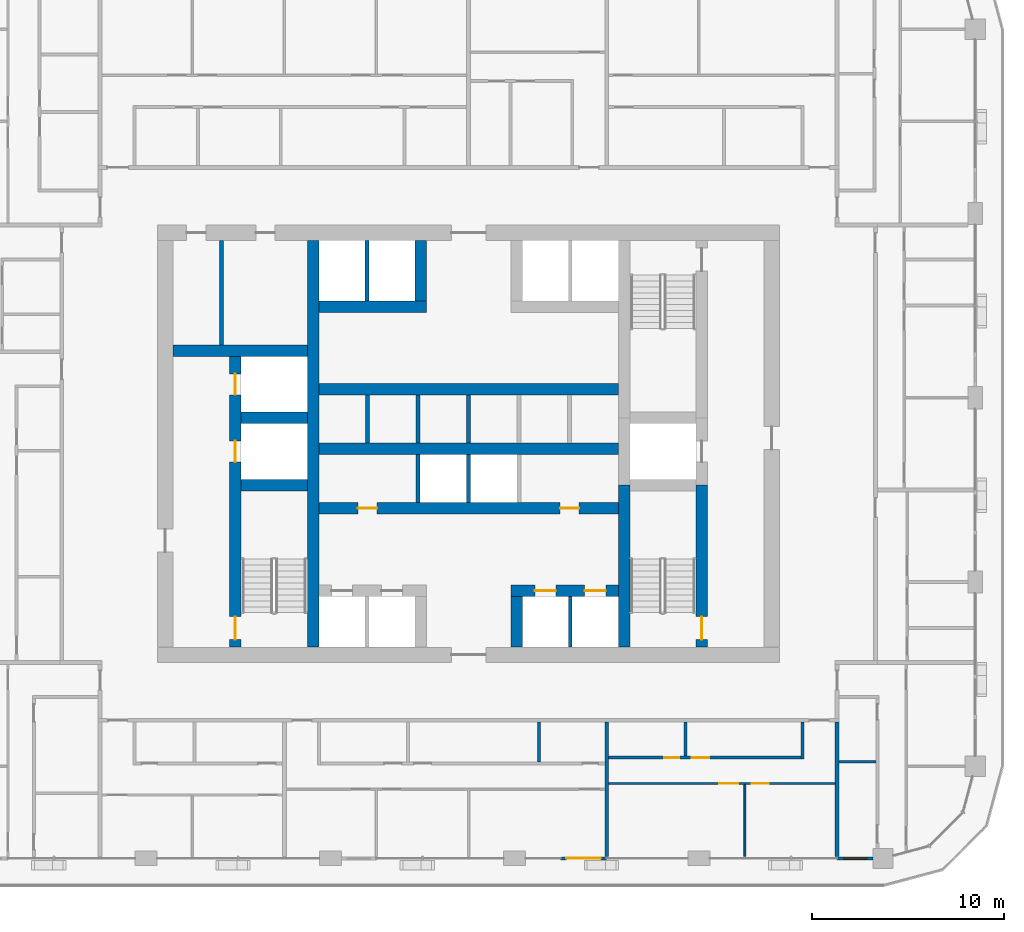
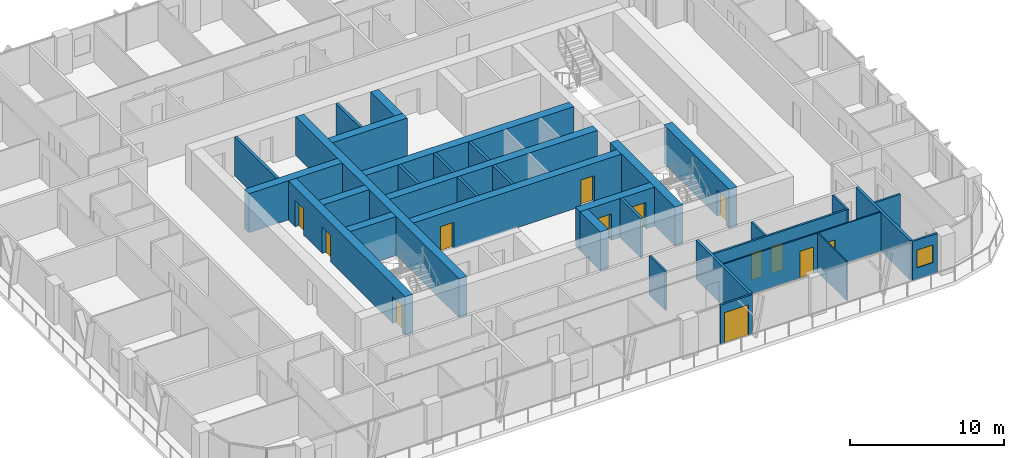
# One storey, part 11 of 22: 33 walls, 13 doors, 1 window, 14 openings.
"""IFC4 building model written with IfcOpenShell, lengths in metres."""

from ifc_helpers import new_model, si_unit, direction, frame, frame_2d, origin, place, context, subcontext, project, spatial, rectangle, extrude, material, layer, layer_set, type_object, element, fill, save


model = new_model("IFC4")

# Units and contexts
model_context = context("Model", 3, precision=1e-05, world=origin(), true_north=direction((0.0, 1.0)))
body_context = subcontext(model_context, "Body", "Model", "MODEL_VIEW")
ifc_project = project(units=[si_unit("LENGTHUNIT", "METRE"), si_unit("AREAUNIT", "SQUARE_METRE"), si_unit("VOLUMEUNIT", "CUBIC_METRE"), si_unit("PLANEANGLEUNIT", "RADIAN"), si_unit("MASSUNIT", "GRAM", prefix="KILO")], contexts=[model_context])

# Site, building, storey
site_placement = place(None, origin())
site = spatial("IfcSite", under=ifc_project, at=site_placement, CompositionType="ELEMENT")
building_placement = place(site_placement, origin())
building = spatial("IfcBuilding", under=site, at=building_placement, Name="Madar Terraces", CompositionType="ELEMENT")
storey_placement = place(building_placement, frame((0.0, 0.0, 140.10009765625)))
storey = spatial("IfcBuildingStorey", under=building, at=storey_placement, Name="L36", CompositionType="ELEMENT", Elevation=140.10009765625)

# Wall, openings, doors
ifc_material_1 = material(Name="Concrete C70/85", Category="concrete")
ifc_layer_1 = layer(ifc_material_1, 0.60009765625)
ifc_layer_set_1 = layer_set([ifc_layer_1], Name="Concrete C70/85 (CIW3 RC wall 600)")
wall_type_1 = type_object("IfcWallType", Name="CIW3 RC wall 600", PredefinedType="SHEAR", material=ifc_layer_set_1)
wall_1_placement = place(storey_placement, frame((19.050048828125, 15.800048828125, 0.0), z_axis=(0.0, 0.0, 1.0), x_axis=(0.0, 1.0, 0.0)))
wall_1 = element("IfcWall", 1, at=wall_1_placement, inside=storey, type_object=wall_type_1, Name="CORE SHAFT WALL", PredefinedType="SHEAR", context=body_context, shape_type="SweptSolid", body=[
    extrude(rectangle(XDim=15.14990234375, YDim=0.60009765625, at=frame_2d((7.574951171875, 0.0))), origin(), (0.0, 0.0, 1.0), 3.099853515625),
])
opening_1_placement = place(wall_1_placement, frame((9.64990234375, 0.0, 0.0)))
opening_1 = element("IfcOpeningElement", 2, at=opening_1_placement, cuts=wall_1, Name="Opening LD", PredefinedType="OPENING", context=body_context, shape_type="SweptSolid", body=[
    extrude(rectangle(XDim=1.10009765625, YDim=2.10009765625, at=frame_2d((0.550048828125, 1.050048828125))), frame((0.0, 0.31005859375, 0.0), z_axis=(0.0, -1.0, 0.0), x_axis=(1.0, 0.0, 0.0)), (0.0, 0.0, 1.0), 0.6201171875),
])
opening_2_placement = place(wall_1_placement, frame((13.14990234375, 0.0, 0.0)))
opening_2 = element("IfcOpeningElement", 3, at=opening_2_placement, cuts=wall_1, Name="Opening LD", PredefinedType="OPENING", context=body_context, shape_type="SweptSolid", body=[
    extrude(rectangle(XDim=1.10009765625, YDim=2.10009765625, at=frame_2d((0.550048828125, 1.050048828125))), frame((0.0, 0.31005859375, 0.0), z_axis=(0.0, -1.0, 0.0), x_axis=(1.0, 0.0, 0.0)), (0.0, 0.0, 1.0), 0.6201171875),
])
opening_3_placement = place(wall_1_placement, frame((0.39990234375, 0.0, 0.0)))
opening_3 = element("IfcOpeningElement", 4, at=opening_3_placement, cuts=wall_1, Name="Opening SD1", PredefinedType="OPENING", context=body_context, shape_type="SweptSolid", body=[
    extrude(rectangle(XDim=1.199951171875, YDim=2.10009765625, at=frame_2d((0.60009765625, 1.050048828125))), frame((0.0, 0.31005859375, 0.0), z_axis=(0.0, -1.0, 0.0), x_axis=(1.0, 0.0, 0.0)), (0.0, 0.0, 1.0), 0.6201171875),
])
ifc_material_2 = material(Name="Stainless steel panel", Category="steel")
door_type_1 = type_object("IfcDoorType", Name="Lift landing door 1100 x 2100", OperationType="DOUBLE_DOOR_SLIDING", PredefinedType="DOOR", material=ifc_material_2)
door_1_placement = place(opening_1_placement, origin())
door_1 = element("IfcDoor", 5, at=door_1_placement, inside=storey, type_object=door_type_1, Name="LIFT LANDING DOOR", OperationType="DOUBLE_DOOR_SLIDING", OverallHeight=2.10009765625, OverallWidth=1.10009765625, PredefinedType="DOOR", context=body_context, shape_type="SweptSolid", body=[
    extrude(rectangle(XDim=1.10009765625, YDim=2.10009765625, at=frame_2d((0.550048828125, 1.050048828125))), frame((0.0, 0.02490234375, 0.0), z_axis=(0.0, -1.0, 0.0), x_axis=(1.0, 0.0, 0.0)), (0.0, 0.0, 1.0), 0.050048828125),
])
fill(opening_1, door_1)
door_2_placement = place(opening_2_placement, origin())
door_2 = element("IfcDoor", 6, at=door_2_placement, inside=storey, type_object=door_type_1, Name="LIFT LANDING DOOR", OperationType="DOUBLE_DOOR_SLIDING", OverallHeight=2.10009765625, OverallWidth=1.10009765625, PredefinedType="DOOR", context=body_context, shape_type="SweptSolid", body=[
    extrude(rectangle(XDim=1.10009765625, YDim=2.10009765625, at=frame_2d((0.550048828125, 1.050048828125))), frame((0.0, 0.02490234375, 0.0), z_axis=(0.0, -1.0, 0.0), x_axis=(1.0, 0.0, 0.0)), (0.0, 0.0, 1.0), 0.050048828125),
])
fill(opening_2, door_2)
ifc_material_3 = material(Name="Steel door leaf", Category="steel")
door_type_2 = type_object("IfcDoorType", Name="Stair door 1200 x 2100", OperationType="NOTDEFINED", PredefinedType="DOOR", material=ifc_material_3)
door_3_placement = place(opening_3_placement, frame((1.199951171875, 0.0, 0.0), z_axis=(0.0, 0.0, 1.0), x_axis=(-1.0, 0.0, 0.0)))
door_3 = element("IfcDoor", 7, at=door_3_placement, inside=storey, type_object=door_type_2, Name="STAIR DOOR", OperationType="SINGLE_SWING_RIGHT", OverallHeight=2.10009765625, OverallWidth=1.199951171875, PredefinedType="DOOR", context=body_context, shape_type="SweptSolid", body=[
    extrude(rectangle(XDim=1.199951171875, YDim=2.10009765625, at=frame_2d((0.60009765625, 1.050048828125))), frame((0.0, 0.02490234375, 0.0), z_axis=(0.0, -1.0, 0.0), x_axis=(1.0, 0.0, 0.0)), (0.0, 0.0, 1.0), 0.050048828125),
])
fill(opening_3, door_3)

# Walls
wall_2_placement = place(storey_placement, frame((23.10009765625, 15.800048828125, 0.0), z_axis=(0.0, 0.0, 1.0), x_axis=(0.0, 1.0, 0.0)))
element("IfcWall", 8, at=wall_2_placement, inside=storey, type_object=wall_type_1, Name="CORE SHAFT WALL", PredefinedType="SHEAR", context=body_context, shape_type="SweptSolid", body=[
    extrude(rectangle(XDim=21.199951171875, YDim=0.60009765625, at=frame_2d((10.60009765625, 0.0))), origin(), (0.0, 0.0, 1.0), 3.099853515625),
])
wall_3_placement = place(storey_placement, frame((39.300048828125, 15.800048828125, 0.0), z_axis=(0.0, 0.0, 1.0), x_axis=(0.0, 1.0, 0.0)))
element("IfcWall", 9, at=wall_3_placement, inside=storey, type_object=wall_type_1, Name="CORE SHAFT WALL", PredefinedType="SHEAR", context=body_context, shape_type="SweptSolid", body=[
    extrude(rectangle(XDim=8.449951171875, YDim=0.60009765625, at=frame_2d((4.22509765625, 0.0))), origin(), (0.0, 0.0, 1.0), 3.099853515625),
])

# Wall, opening, door
wall_4_placement = place(storey_placement, frame((43.35009765625, 15.800048828125, 0.0), z_axis=(0.0, 0.0, 1.0), x_axis=(0.0, 1.0, 0.0)))
wall_4 = element("IfcWall", 10, at=wall_4_placement, inside=storey, type_object=wall_type_1, Name="CORE SHAFT WALL", PredefinedType="SHEAR", context=body_context, shape_type="SweptSolid", body=[
    extrude(rectangle(XDim=8.449951171875, YDim=0.60009765625, at=frame_2d((4.22509765625, 0.0))), origin(), (0.0, 0.0, 1.0), 3.099853515625),
])
opening_4_placement = place(wall_4_placement, frame((0.39990234375, 0.0, 0.0)))
opening_4 = element("IfcOpeningElement", 11, at=opening_4_placement, cuts=wall_4, Name="Opening SD1", PredefinedType="OPENING", context=body_context, shape_type="SweptSolid", body=[
    extrude(rectangle(XDim=1.199951171875, YDim=2.10009765625, at=frame_2d((0.60009765625, 1.050048828125))), frame((0.0, 0.31005859375, 0.0), z_axis=(0.0, -1.0, 0.0), x_axis=(1.0, 0.0, 0.0)), (0.0, 0.0, 1.0), 0.6201171875),
])
door_4_placement = place(opening_4_placement, origin())
door_4 = element("IfcDoor", 12, at=door_4_placement, inside=storey, type_object=door_type_2, Name="STAIR DOOR", OperationType="SINGLE_SWING_LEFT", OverallHeight=2.10009765625, OverallWidth=1.199951171875, PredefinedType="DOOR", context=body_context, shape_type="SweptSolid", body=[
    extrude(rectangle(XDim=1.199951171875, YDim=2.10009765625, at=frame_2d((0.60009765625, 1.050048828125))), frame((0.0, 0.02490234375, 0.0), z_axis=(0.0, -1.0, 0.0), x_axis=(1.0, 0.0, 0.0)), (0.0, 0.0, 1.0), 0.050048828125),
])
fill(opening_4, door_4)

# Walls
for number, where, z_axis, x_axis, name in (
    (13, (19.35009765625, 24.25, 0.0), (0.0, 0.0, 1.0), (1.0, 0.0, 0.0), "CORE SHAFT WALL"),
    (14, (19.35009765625, 27.75, 0.0), (0.0, 0.0, 1.0), (1.0, 0.0, 0.0), "CORE SHAFT WALL"),
):
    element("IfcWall", number, at=place(storey_placement, frame(where, z_axis=z_axis, x_axis=x_axis)), inside=storey, type_object=wall_type_1, Name=name, PredefinedType="SHEAR", context=body_context, shape_type="SweptSolid", body=[
        extrude(rectangle(XDim=3.449951171875, YDim=0.60009765625, at=frame_2d((1.72509765625, 0.0))), origin(), (0.0, 0.0, 1.0), 3.099853515625),
    ])
wall_5_placement = place(storey_placement, frame((15.800048828125, 31.25, 0.0), z_axis=(0.0, 0.0, 1.0), x_axis=(1.0, 0.0, 0.0)))
element("IfcWall", 15, at=wall_5_placement, inside=storey, type_object=wall_type_1, Name="CORE SHAFT WALL", PredefinedType="SHEAR", context=body_context, shape_type="SweptSolid", body=[
    extrude(rectangle(XDim=7.0, YDim=0.60009765625, at=frame_2d((3.5, 0.0))), origin(), (0.0, 0.0, 1.0), 3.099853515625),
])

# Wall, openings, doors
wall_6_placement = place(storey_placement, frame((33.39990234375, 18.75, 0.0), z_axis=(0.0, 0.0, 1.0), x_axis=(1.0, 0.0, 0.0)))
wall_6 = element("IfcWall", 16, at=wall_6_placement, inside=storey, type_object=wall_type_1, Name="CORE SHAFT WALL", PredefinedType="SHEAR", context=body_context, shape_type="SweptSolid", body=[
    extrude(rectangle(XDim=5.60009765625, YDim=0.60009765625, at=frame_2d((2.800048828125, 0.0))), origin(), (0.0, 0.0, 1.0), 3.099853515625),
])
opening_5_placement = place(wall_6_placement, frame((1.25, 0.0, 0.0)))
opening_5 = element("IfcOpeningElement", 17, at=opening_5_placement, cuts=wall_6, Name="Opening LD", PredefinedType="OPENING", context=body_context, shape_type="SweptSolid", body=[
    extrude(rectangle(XDim=1.10009765625, YDim=2.10009765625, at=frame_2d((0.550048828125, 1.050048828125))), frame((0.0, 0.31005859375, 0.0), z_axis=(0.0, -1.0, 0.0), x_axis=(1.0, 0.0, 0.0)), (0.0, 0.0, 1.0), 0.6201171875),
])
opening_6_placement = place(wall_6_placement, frame((3.85009765625, 0.0, 0.0)))
opening_6 = element("IfcOpeningElement", 18, at=opening_6_placement, cuts=wall_6, Name="Opening LD", PredefinedType="OPENING", context=body_context, shape_type="SweptSolid", body=[
    extrude(rectangle(XDim=1.10009765625, YDim=2.10009765625, at=frame_2d((0.550048828125, 1.050048828125))), frame((0.0, 0.31005859375, 0.0), z_axis=(0.0, -1.0, 0.0), x_axis=(1.0, 0.0, 0.0)), (0.0, 0.0, 1.0), 0.6201171875),
])
door_5_placement = place(opening_5_placement, origin())
door_5 = element("IfcDoor", 19, at=door_5_placement, inside=storey, type_object=door_type_1, Name="LIFT LANDING DOOR", OperationType="DOUBLE_DOOR_SLIDING", OverallHeight=2.10009765625, OverallWidth=1.10009765625, PredefinedType="DOOR", context=body_context, shape_type="SweptSolid", body=[
    extrude(rectangle(XDim=1.10009765625, YDim=2.10009765625, at=frame_2d((0.550048828125, 1.050048828125))), frame((0.0, 0.02490234375, 0.0), z_axis=(0.0, -1.0, 0.0), x_axis=(1.0, 0.0, 0.0)), (0.0, 0.0, 1.0), 0.050048828125),
])
fill(opening_5, door_5)
door_6_placement = place(opening_6_placement, origin())
door_6 = element("IfcDoor", 20, at=door_6_placement, inside=storey, type_object=door_type_1, Name="LIFT LANDING DOOR", OperationType="DOUBLE_DOOR_SLIDING", OverallHeight=2.10009765625, OverallWidth=1.10009765625, PredefinedType="DOOR", context=body_context, shape_type="SweptSolid", body=[
    extrude(rectangle(XDim=1.10009765625, YDim=2.10009765625, at=frame_2d((0.550048828125, 1.050048828125))), frame((0.0, 0.02490234375, 0.0), z_axis=(0.0, -1.0, 0.0), x_axis=(1.0, 0.0, 0.0)), (0.0, 0.0, 1.0), 0.050048828125),
])
fill(opening_6, door_6)

wall_7_placement = place(storey_placement, frame((23.39990234375, 23.050048828125, 0.0), z_axis=(0.0, 0.0, 1.0), x_axis=(1.0, 0.0, 0.0)))
wall_7 = element("IfcWall", 21, at=wall_7_placement, inside=storey, type_object=wall_type_1, Name="CORE SHAFT WALL", PredefinedType="SHEAR", context=body_context, shape_type="SweptSolid", body=[
    extrude(rectangle(XDim=15.60009765625, YDim=0.60009765625, at=frame_2d((7.800048828125, 0.0))), origin(), (0.0, 0.0, 1.0), 3.099853515625),
])
opening_7_placement = place(wall_7_placement, frame((2.033447265625, 0.0, 0.0)))
opening_7 = element("IfcOpeningElement", 22, at=opening_7_placement, cuts=wall_7, Name="Opening KD2", PredefinedType="OPENING", context=body_context, shape_type="SweptSolid", body=[
    extrude(rectangle(XDim=1.0, YDim=2.10009765625, at=frame_2d((0.5, 1.050048828125))), frame((0.0, 0.31005859375, 0.0), z_axis=(0.0, -1.0, 0.0), x_axis=(1.0, 0.0, 0.0)), (0.0, 0.0, 1.0), 0.6201171875),
])
opening_8_placement = place(wall_7_placement, frame((12.566650390625, 0.0, 0.0)))
opening_8 = element("IfcOpeningElement", 23, at=opening_8_placement, cuts=wall_7, Name="Opening KD2", PredefinedType="OPENING", context=body_context, shape_type="SweptSolid", body=[
    extrude(rectangle(XDim=1.0, YDim=2.10009765625, at=frame_2d((0.5, 1.050048828125))), frame((0.0, 0.31005859375, 0.0), z_axis=(0.0, -1.0, 0.0), x_axis=(1.0, 0.0, 0.0)), (0.0, 0.0, 1.0), 0.6201171875),
])
ifc_material_4 = material(Name="Steel door leaf", Category="steel")
door_type_3 = type_object("IfcDoorType", Name="Service room door 1000 x 2100", OperationType="NOTDEFINED", PredefinedType="DOOR", material=ifc_material_4)
door_7_placement = place(opening_7_placement, frame((1.0, 0.0, 0.0), z_axis=(0.0, 0.0, 1.0), x_axis=(-1.0, 0.0, 0.0)))
door_7 = element("IfcDoor", 24, at=door_7_placement, inside=storey, type_object=door_type_3, Name="SERVICE ROOM DOOR", OperationType="SINGLE_SWING_LEFT", OverallHeight=2.10009765625, OverallWidth=1.0, PredefinedType="DOOR", context=body_context, shape_type="SweptSolid", body=[
    extrude(rectangle(XDim=1.0, YDim=2.10009765625, at=frame_2d((0.5, 1.050048828125))), frame((0.0, 0.02490234375, 0.0), z_axis=(0.0, -1.0, 0.0), x_axis=(1.0, 0.0, 0.0)), (0.0, 0.0, 1.0), 0.050048828125),
])
fill(opening_7, door_7)
door_8_placement = place(opening_8_placement, frame((1.0, 0.0, 0.0), z_axis=(0.0, 0.0, 1.0), x_axis=(-1.0, 0.0, 0.0)))
door_8 = element("IfcDoor", 25, at=door_8_placement, inside=storey, type_object=door_type_3, Name="SERVICE ROOM DOOR", OperationType="SINGLE_SWING_RIGHT", OverallHeight=2.10009765625, OverallWidth=1.0, PredefinedType="DOOR", context=body_context, shape_type="SweptSolid", body=[
    extrude(rectangle(XDim=1.0, YDim=2.10009765625, at=frame_2d((0.5, 1.050048828125))), frame((0.0, 0.02490234375, 0.0), z_axis=(0.0, -1.0, 0.0), x_axis=(1.0, 0.0, 0.0)), (0.0, 0.0, 1.0), 0.050048828125),
])
fill(opening_8, door_8)

# Walls
for number, where, z_axis, x_axis, name in (
    (26, (23.39990234375, 26.14990234375, 0.0), (0.0, 0.0, 1.0), (1.0, 0.0, 0.0), "CORE SHAFT WALL"),
    (27, (23.39990234375, 29.25, 0.0), (0.0, 0.0, 1.0), (1.0, 0.0, 0.0), "CORE SHAFT WALL"),
):
    element("IfcWall", number, at=place(storey_placement, frame(where, z_axis=z_axis, x_axis=x_axis)), inside=storey, type_object=wall_type_1, Name=name, PredefinedType="SHEAR", context=body_context, shape_type="SweptSolid", body=[
        extrude(rectangle(XDim=15.60009765625, YDim=0.60009765625, at=frame_2d((7.800048828125, 0.0))), origin(), (0.0, 0.0, 1.0), 3.099853515625),
    ])
wall_8_placement = place(storey_placement, frame((23.39990234375, 33.550048828125, 0.0), z_axis=(0.0, 0.0, 1.0), x_axis=(1.0, 0.0, 0.0)))
element("IfcWall", 28, at=wall_8_placement, inside=storey, type_object=wall_type_1, Name="CORE SHAFT WALL", PredefinedType="SHEAR", context=body_context, shape_type="SweptSolid", body=[
    extrude(rectangle(XDim=5.60009765625, YDim=0.60009765625, at=frame_2d((2.800048828125, 0.0))), origin(), (0.0, 0.0, 1.0), 3.099853515625),
])
wall_9_placement = place(storey_placement, frame((33.699951171875, 15.800048828125, 0.0), z_axis=(0.0, 0.0, 1.0), x_axis=(0.0, 1.0, 0.0)))
element("IfcWall", 29, at=wall_9_placement, inside=storey, type_object=wall_type_1, Name="CORE SHAFT WALL", PredefinedType="SHEAR", context=body_context, shape_type="SweptSolid", body=[
    extrude(rectangle(XDim=2.64990234375, YDim=0.60009765625, at=frame_2d((1.324951171875, 0.0))), origin(), (0.0, 0.0, 1.0), 3.099853515625),
])
wall_10_placement = place(storey_placement, frame((28.699951171875, 33.85009765625, 0.0), z_axis=(0.0, 0.0, 1.0), x_axis=(0.0, 1.0, 0.0)))
element("IfcWall", 30, at=wall_10_placement, inside=storey, type_object=wall_type_1, Name="CORE SHAFT WALL", PredefinedType="SHEAR", context=body_context, shape_type="SweptSolid", body=[
    extrude(rectangle(XDim=3.14990234375, YDim=0.60009765625, at=frame_2d((1.574951171875, 0.0))), origin(), (0.0, 0.0, 1.0), 3.099853515625),
])
ifc_material_5 = material(Name="Masonry blockwork", Category="masonry")
ifc_layer_2 = layer(ifc_material_5, 0.199951171875)
ifc_layer_set_2 = layer_set([ifc_layer_2], Name="Core partition 200 blockwork")
wall_type_2 = type_object("IfcWallType", Name="Core partition 200 blockwork", PredefinedType="PARTITIONING", material=ifc_layer_set_2)
wall_11_placement = place(storey_placement, frame((18.320068359375, 31.550048828125, 0.0), z_axis=(0.0, 0.0, 1.0), x_axis=(0.0, 1.0, 0.0)))
element("IfcWall", 31, at=wall_11_placement, inside=storey, type_object=wall_type_2, Name="SERVICE ROOM PARTITION", PredefinedType="PARTITIONING", context=body_context, shape_type="SweptSolid", body=[
    extrude(rectangle(XDim=5.449951171875, YDim=0.199951171875, at=frame_2d((2.72509765625, 0.0))), origin(), (0.0, 0.0, 1.0), 3.099853515625),
])
ifc_material_6 = material(Name="Concrete C40/50", Category="concrete")
ifc_layer_3 = layer(ifc_material_6, 0.199951171875)
ifc_layer_set_3 = layer_set([ifc_layer_3], Name="Core shaft dividing wall 200 C40/50")
wall_type_3 = type_object("IfcWallType", Name="Core shaft dividing wall 200 C40/50", PredefinedType="SOLIDWALL", material=ifc_layer_set_3)
for number, where, z_axis, x_axis, name in (
    (32, (25.933349609375, 26.449951171875, 0.0), (0.0, 0.0, 1.0), (0.0, 1.0, 0.0), "SHAFT DIVIDING WALL"),
    (33, (28.566650390625, 23.35009765625, 0.0), (0.0, 0.0, 1.0), (0.0, 1.0, 0.0), "SHAFT DIVIDING WALL"),
    (34, (28.566650390625, 26.449951171875, 0.0), (0.0, 0.0, 1.0), (0.0, 1.0, 0.0), "SHAFT DIVIDING WALL"),
    (35, (31.199951171875, 23.35009765625, 0.0), (0.0, 0.0, 1.0), (0.0, 1.0, 0.0), "SHAFT DIVIDING WALL"),
    (36, (31.199951171875, 26.449951171875, 0.0), (0.0, 0.0, 1.0), (0.0, 1.0, 0.0), "SHAFT DIVIDING WALL"),
):
    element("IfcWall", number, at=place(storey_placement, frame(where, z_axis=z_axis, x_axis=x_axis)), inside=storey, type_object=wall_type_3, Name=name, PredefinedType="SOLIDWALL", context=body_context, shape_type="SweptSolid", body=[
        extrude(rectangle(XDim=2.5, YDim=0.199951171875, at=frame_2d((1.25, 0.0))), origin(), (0.0, 0.0, 1.0), 3.099853515625),
    ])
wall_12_placement = place(storey_placement, frame((25.89990234375, 33.85009765625, 0.0), z_axis=(0.0, 0.0, 1.0), x_axis=(0.0, 1.0, 0.0)))
element("IfcWall", 37, at=wall_12_placement, inside=storey, type_object=wall_type_3, Name="SHAFT DIVIDING WALL", PredefinedType="SOLIDWALL", context=body_context, shape_type="SweptSolid", body=[
    extrude(rectangle(XDim=3.14990234375, YDim=0.199951171875, at=frame_2d((1.574951171875, 0.0))), origin(), (0.0, 0.0, 1.0), 3.099853515625),
])
wall_13_placement = place(storey_placement, frame((36.5, 15.800048828125, 0.0), z_axis=(0.0, 0.0, 1.0), x_axis=(0.0, 1.0, 0.0)))
element("IfcWall", 38, at=wall_13_placement, inside=storey, type_object=wall_type_3, Name="SHAFT DIVIDING WALL", PredefinedType="SOLIDWALL", context=body_context, shape_type="SweptSolid", body=[
    extrude(rectangle(XDim=2.64990234375, YDim=0.199951171875, at=frame_2d((1.324951171875, 0.0))), origin(), (0.0, 0.0, 1.0), 3.099853515625),
])

# Wall, opening, door
ifc_material_7 = material(Name="Aluminium composite panel, black, over insulated backing", Category="aluminium")
ifc_layer_4 = layer(ifc_material_7, 0.14990234375)
ifc_layer_set_4 = layer_set([ifc_layer_4], Name="Facade bay panel 150")
wall_type_4 = type_object("IfcWallType", Name="Facade bay panel 150", PredefinedType="SOLIDWALL", material=ifc_layer_set_4)
wall_14_placement = place(storey_placement, frame((36.0, 4.800048828125, 0.0), z_axis=(0.0, 0.0, 1.0), x_axis=(1.0, 0.0, 0.0)))
wall_14 = element("IfcWall", 39, at=wall_14_placement, inside=storey, type_object=wall_type_4, Name="Facade bay panel", PredefinedType="SOLIDWALL", context=body_context, shape_type="SweptSolid", body=[
    extrude(rectangle(XDim=2.39990234375, YDim=0.14990234375, at=frame_2d((1.199951171875, 0.0))), origin(), (0.0, 0.0, 1.0), 3.099853515625),
])
opening_9_placement = place(wall_14_placement, frame((0.300048828125, 0.0, 0.0)))
opening_9 = element("IfcOpeningElement", 40, at=opening_9_placement, cuts=wall_14, Name="Opening ED1", PredefinedType="OPENING", context=body_context, shape_type="SweptSolid", body=[
    extrude(rectangle(XDim=1.800048828125, YDim=2.39990234375, at=frame_2d((0.89990234375, 1.199951171875))), frame((0.0, 0.0849609375, 0.0), z_axis=(0.0, -1.0, 0.0), x_axis=(1.0, 0.0, 0.0)), (0.0, 0.0, 1.0), 0.169921875),
])
ifc_material_8 = material(Name="Glass, clear, with black aluminium frame", Category="aluminium")
door_type_4 = type_object("IfcDoorType", Name="Balcony and terrace sliding door 1800 x 2400", OperationType="SLIDING_TO_LEFT", PredefinedType="DOOR", material=ifc_material_8)
door_9_placement = place(opening_9_placement, origin())
door_9 = element("IfcDoor", 41, at=door_9_placement, inside=storey, type_object=door_type_4, Name="Balcony door", OperationType="SLIDING_TO_LEFT", OverallHeight=2.39990234375, OverallWidth=1.800048828125, PredefinedType="DOOR", context=body_context, shape_type="SweptSolid", body=[
    extrude(rectangle(XDim=1.800048828125, YDim=2.39990234375, at=frame_2d((0.89990234375, 1.199951171875))), frame((0.0, 0.02490234375, 0.0), z_axis=(0.0, -1.0, 0.0), x_axis=(1.0, 0.0, 0.0)), (0.0, 0.0, 1.0), 0.050048828125),
])
fill(opening_9, door_9)

# Wall, opening, window
wall_15_placement = place(storey_placement, frame((50.39990234375, 4.800048828125, 0.0), z_axis=(0.0, 0.0, 1.0), x_axis=(1.0, 0.0, 0.0)))
wall_15 = element("IfcWall", 42, at=wall_15_placement, inside=storey, type_object=wall_type_4, Name="Facade bay panel", PredefinedType="SOLIDWALL", context=body_context, shape_type="SweptSolid", body=[
    extrude(rectangle(XDim=1.875, YDim=0.14990234375, at=frame_2d((0.9375, 0.0))), origin(), (0.0, 0.0, 1.0), 3.099853515625),
])
opening_10_placement = place(wall_15_placement, frame((0.33740234375, 0.0, 0.89990234375)))
opening_10 = element("IfcOpeningElement", 43, at=opening_10_placement, cuts=wall_15, Name="Opening W1", PredefinedType="OPENING", context=body_context, shape_type="SweptSolid", body=[
    extrude(rectangle(XDim=1.199951171875, YDim=1.39990234375, at=frame_2d((0.60009765625, 0.699951171875))), frame((0.0, 0.0849609375, 0.0), z_axis=(0.0, -1.0, 0.0), x_axis=(1.0, 0.0, 0.0)), (0.0, 0.0, 1.0), 0.169921875),
])
ifc_material_9 = material(Name="Glass, clear, with black aluminium frame", Category="aluminium")
window_type = type_object("IfcWindowType", Name="Vent window 1200 x 1400", PartitioningType="SINGLE_PANEL", PredefinedType="WINDOW", material=ifc_material_9)
window_placement = place(opening_10_placement, origin())
window = element("IfcWindow", 44, at=window_placement, inside=storey, type_object=window_type, Name="Operable vent window", OverallHeight=1.39990234375, OverallWidth=1.199951171875, PartitioningType="SINGLE_PANEL", PredefinedType="WINDOW", context=body_context, shape_type="SweptSolid", body=[
    extrude(rectangle(XDim=1.199951171875, YDim=1.39990234375, at=frame_2d((0.60009765625, 0.699951171875))), frame((0.0, 0.030029296875, 0.0), z_axis=(0.0, -1.0, 0.0), x_axis=(1.0, 0.0, 0.0)), (0.0, 0.0, 1.0), 0.06005859375),
])
fill(opening_10, window)

# Wall
ifc_material_10 = material(Name="Gypsum board on steel studs", Category="steel")
ifc_layer_5 = layer(ifc_material_10, 0.10009765625)
ifc_layer_set_5 = layer_set([ifc_layer_5], Name="Flat partition 100")
wall_type_5 = type_object("IfcWallType", Name="Flat partition 100", PredefinedType="PARTITIONING", material=ifc_layer_set_5)
wall_16_placement = place(storey_placement, frame((45.60009765625, 8.64990234375, 0.0), z_axis=(0.0, 0.0, 1.0), x_axis=(0.0, -1.0, 0.0)))
element("IfcWall", 45, at=wall_16_placement, inside=storey, type_object=wall_type_5, Name="Flat partition 100", PredefinedType="PARTITIONING", context=body_context, shape_type="SweptSolid", body=[
    extrude(rectangle(XDim=3.75, YDim=0.10009765625, at=frame_2d((1.875, 0.0))), origin(), (0.0, 0.0, 1.0), 3.099853515625),
])

# Wall, openings, doors
wall_17_placement = place(storey_placement, frame((50.300048828125, 8.699951171875, 0.0), z_axis=(0.0, 0.0, 1.0), x_axis=(-1.0, 0.0, 0.0)))
wall_17 = element("IfcWall", 46, at=wall_17_placement, inside=storey, type_object=wall_type_5, Name="Flat partition 100", PredefinedType="PARTITIONING", context=body_context, shape_type="SweptSolid", body=[
    extrude(rectangle(XDim=11.800048828125, YDim=0.10009765625, at=frame_2d((5.89990234375, 0.0))), origin(), (0.0, 0.0, 1.0), 3.099853515625),
])
opening_11_placement = place(wall_17_placement, frame((3.449951171875, 0.0, 0.0)))
opening_11 = element("IfcOpeningElement", 47, at=opening_11_placement, cuts=wall_17, Name="Opening D2", PredefinedType="OPENING", context=body_context, shape_type="SweptSolid", body=[
    extrude(rectangle(XDim=0.89990234375, YDim=2.10009765625, at=frame_2d((0.449951171875, 1.050048828125))), frame((0.0, 0.06005859375, 0.0), z_axis=(0.0, -1.0, 0.0), x_axis=(1.0, 0.0, 0.0)), (0.0, 0.0, 1.0), 0.1201171875),
])
opening_12_placement = place(wall_17_placement, frame((5.050048828125, 0.0, 0.0)))
opening_12 = element("IfcOpeningElement", 48, at=opening_12_placement, cuts=wall_17, Name="Opening D3", PredefinedType="OPENING", context=body_context, shape_type="SweptSolid", body=[
    extrude(rectangle(XDim=1.0, YDim=2.10009765625, at=frame_2d((0.5, 1.050048828125))), frame((0.0, 0.06005859375, 0.0), z_axis=(0.0, -1.0, 0.0), x_axis=(1.0, 0.0, 0.0)), (0.0, 0.0, 1.0), 0.1201171875),
])
ifc_material_11 = material(Name="Timber door leaf", Category="wood")
door_type_5 = type_object("IfcDoorType", Name="Flat living room door 1000", OperationType="NOTDEFINED", PredefinedType="DOOR", material=ifc_material_11)
door_10_placement = place(opening_12_placement, origin())
door_10 = element("IfcDoor", 49, at=door_10_placement, inside=storey, type_object=door_type_5, Name="Flat living room door 1000", OperationType="SINGLE_SWING_LEFT", OverallHeight=2.10009765625, OverallWidth=1.0, PredefinedType="DOOR", context=body_context, shape_type="SweptSolid", body=[
    extrude(rectangle(XDim=1.0, YDim=2.10009765625, at=frame_2d((0.5, 1.050048828125))), frame((0.0, 0.02490234375, 0.0), z_axis=(0.0, -1.0, 0.0), x_axis=(1.0, 0.0, 0.0)), (0.0, 0.0, 1.0), 0.050048828125),
])
fill(opening_12, door_10)
ifc_material_12 = material(Name="Timber door leaf", Category="wood")
door_type_6 = type_object("IfcDoorType", Name="Flat room door 900", OperationType="NOTDEFINED", PredefinedType="DOOR", material=ifc_material_12)
door_11_placement = place(opening_11_placement, origin())
door_11 = element("IfcDoor", 50, at=door_11_placement, inside=storey, type_object=door_type_6, Name="Flat room door 900", OperationType="SINGLE_SWING_RIGHT", OverallHeight=2.10009765625, OverallWidth=0.89990234375, PredefinedType="DOOR", context=body_context, shape_type="SweptSolid", body=[
    extrude(rectangle(XDim=0.89990234375, YDim=2.10009765625, at=frame_2d((0.449951171875, 1.050048828125))), frame((0.0, 0.02490234375, 0.0), z_axis=(0.0, -1.0, 0.0), x_axis=(1.0, 0.0, 0.0)), (0.0, 0.0, 1.0), 0.050048828125),
])
fill(opening_11, door_11)

# Walls
ifc_material_13 = material(Name="Lightweight blockwork", Category="masonry")
ifc_layer_6 = layer(ifc_material_13, 0.199951171875)
ifc_layer_set_6 = layer_set([ifc_layer_6], Name="Flat party and entrance wall 200")
wall_type_6 = type_object("IfcWallType", Name="Flat party and entrance wall 200", PredefinedType="PARTITIONING", material=ifc_layer_set_6)
for number, where, z_axis, x_axis, name in (
    (51, (38.39990234375, 11.89990234375, 0.0), (0.0, 0.0, 1.0), (0.0, -1.0, 0.0), "Flat party and entrance wall 200"),
    (52, (50.39990234375, 11.89990234375, 0.0), (0.0, 0.0, 1.0), (0.0, -1.0, 0.0), "Flat party and entrance wall 200"),
):
    element("IfcWall", number, at=place(storey_placement, frame(where, z_axis=z_axis, x_axis=x_axis)), inside=storey, type_object=wall_type_6, Name=name, PredefinedType="PARTITIONING", context=body_context, shape_type="SweptSolid", body=[
        extrude(rectangle(XDim=7.0, YDim=0.199951171875, at=frame_2d((3.5, 0.0))), origin(), (0.0, 0.0, 1.0), 3.099853515625),
    ])
ifc_material_14 = material(Name="Lightweight blockwork", Category="masonry")
ifc_layer_7 = layer(ifc_material_14, 0.14990234375)
ifc_layer_set_7 = layer_set([ifc_layer_7], Name="Flat wet-room partition 150")
wall_type_7 = type_object("IfcWallType", Name="Flat wet-room partition 150", PredefinedType="PARTITIONING", material=ifc_layer_set_7)
wall_18_placement = place(storey_placement, frame((34.87890625, 11.89990234375, 0.0), z_axis=(0.0, 0.0, 1.0), x_axis=(0.0, -1.0, 0.0)))
element("IfcWall", 53, at=wall_18_placement, inside=storey, type_object=wall_type_7, Name="Flat wet-room partition 150", PredefinedType="PARTITIONING", context=body_context, shape_type="SweptSolid", body=[
    extrude(rectangle(XDim=2.074951171875, YDim=0.14990234375, at=frame_2d((1.03759765625, 0.0))), origin(), (0.0, 0.0, 1.0), 3.099853515625),
])
wall_19_placement = place(storey_placement, frame((42.510009765625, 11.89990234375, 0.0), z_axis=(0.0, 0.0, 1.0), x_axis=(0.0, -1.0, 0.0)))
element("IfcWall", 54, at=wall_19_placement, inside=storey, type_object=wall_type_7, Name="Flat wet-room partition 150", PredefinedType="PARTITIONING", context=body_context, shape_type="SweptSolid", body=[
    extrude(rectangle(XDim=1.77490234375, YDim=0.14990234375, at=frame_2d((0.887451171875, 0.0))), origin(), (0.0, 0.0, 1.0), 3.099853515625),
])
wall_20_placement = place(storey_placement, frame((48.60009765625, 11.89990234375, 0.0), z_axis=(0.0, 0.0, 1.0), x_axis=(0.0, -1.0, 0.0)))
element("IfcWall", 55, at=wall_20_placement, inside=storey, type_object=wall_type_7, Name="Flat wet-room partition 150", PredefinedType="PARTITIONING", context=body_context, shape_type="SweptSolid", body=[
    extrude(rectangle(XDim=1.9248046875, YDim=0.14990234375, at=frame_2d((0.96240234375, 0.0))), origin(), (0.0, 0.0, 1.0), 3.099853515625),
])

# Wall, openings, doors
wall_21_placement = place(storey_placement, frame((38.5, 10.050048828125, 0.0), z_axis=(0.0, 0.0, 1.0), x_axis=(1.0, 0.0, 0.0)))
wall_21 = element("IfcWall", 56, at=wall_21_placement, inside=storey, type_object=wall_type_7, Name="Flat wet-room partition 150", PredefinedType="PARTITIONING", context=body_context, shape_type="SweptSolid", body=[
    extrude(rectangle(XDim=10.02490234375, YDim=0.14990234375, at=frame_2d((5.012451171875, 0.0))), origin(), (0.0, 0.0, 1.0), 3.099853515625),
])
opening_13_placement = place(wall_21_placement, frame((4.3349609375, 0.0, 0.0)))
opening_13 = element("IfcOpeningElement", 57, at=opening_13_placement, cuts=wall_21, Name="Opening D2", PredefinedType="OPENING", context=body_context, shape_type="SweptSolid", body=[
    extrude(rectangle(XDim=0.89990234375, YDim=2.10009765625, at=frame_2d((0.449951171875, 1.050048828125))), frame((0.0, 0.0849609375, 0.0), z_axis=(0.0, -1.0, 0.0), x_axis=(1.0, 0.0, 0.0)), (0.0, 0.0, 1.0), 0.169921875),
])
opening_14_placement = place(wall_21_placement, frame((2.885009765625, 0.0, 0.0)))
opening_14 = element("IfcOpeningElement", 58, at=opening_14_placement, cuts=wall_21, Name="Opening D4", PredefinedType="OPENING", context=body_context, shape_type="SweptSolid", body=[
    extrude(rectangle(XDim=0.800048828125, YDim=2.10009765625, at=frame_2d((0.39990234375, 1.050048828125))), frame((0.0, 0.0849609375, 0.0), z_axis=(0.0, -1.0, 0.0), x_axis=(1.0, 0.0, 0.0)), (0.0, 0.0, 1.0), 0.169921875),
])
ifc_material_15 = material(Name="Timber door leaf", Category="wood")
door_type_7 = type_object("IfcDoorType", Name="Flat bathroom door 800", OperationType="NOTDEFINED", PredefinedType="DOOR", material=ifc_material_15)
door_12_placement = place(opening_14_placement, origin())
door_12 = element("IfcDoor", 59, at=door_12_placement, inside=storey, type_object=door_type_7, Name="Flat bathroom door 800", OperationType="SINGLE_SWING_RIGHT", OverallHeight=2.10009765625, OverallWidth=0.800048828125, PredefinedType="DOOR", context=body_context, shape_type="SweptSolid", body=[
    extrude(rectangle(XDim=0.800048828125, YDim=2.10009765625, at=frame_2d((0.39990234375, 1.050048828125))), frame((0.0, 0.02490234375, 0.0), z_axis=(0.0, -1.0, 0.0), x_axis=(1.0, 0.0, 0.0)), (0.0, 0.0, 1.0), 0.050048828125),
])
fill(opening_14, door_12)
door_13_placement = place(opening_13_placement, origin())
door_13 = element("IfcDoor", 60, at=door_13_placement, inside=storey, type_object=door_type_6, Name="Flat room door 900", OperationType="SINGLE_SWING_LEFT", OverallHeight=2.10009765625, OverallWidth=0.89990234375, PredefinedType="DOOR", context=body_context, shape_type="SweptSolid", body=[
    extrude(rectangle(XDim=0.89990234375, YDim=2.10009765625, at=frame_2d((0.449951171875, 1.050048828125))), frame((0.0, 0.02490234375, 0.0), z_axis=(0.0, -1.0, 0.0), x_axis=(1.0, 0.0, 0.0)), (0.0, 0.0, 1.0), 0.050048828125),
])
fill(opening_13, door_13)

# Wall
wall_22_placement = place(storey_placement, frame((50.5, 9.8349609375, 0.0), z_axis=(0.0, 0.0, 1.0), x_axis=(1.0, 0.0, 0.0)))
element("IfcWall", 61, at=wall_22_placement, inside=storey, type_object=wall_type_7, Name="Flat wet-room partition 150", PredefinedType="PARTITIONING", context=body_context, shape_type="SweptSolid", body=[
    extrude(rectangle(XDim=1.925048828125, YDim=0.14990234375, at=frame_2d((0.96240234375, 0.0))), origin(), (0.0, 0.0, 1.0), 3.099853515625),
])

save(model, "model.ifc")
